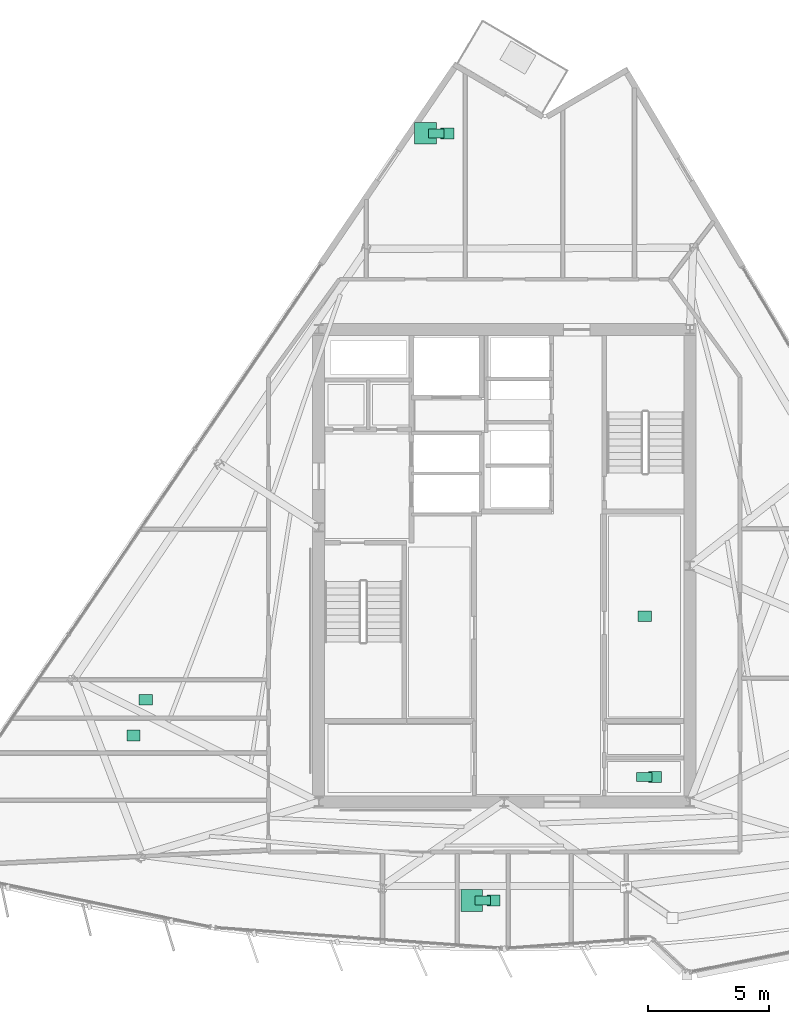
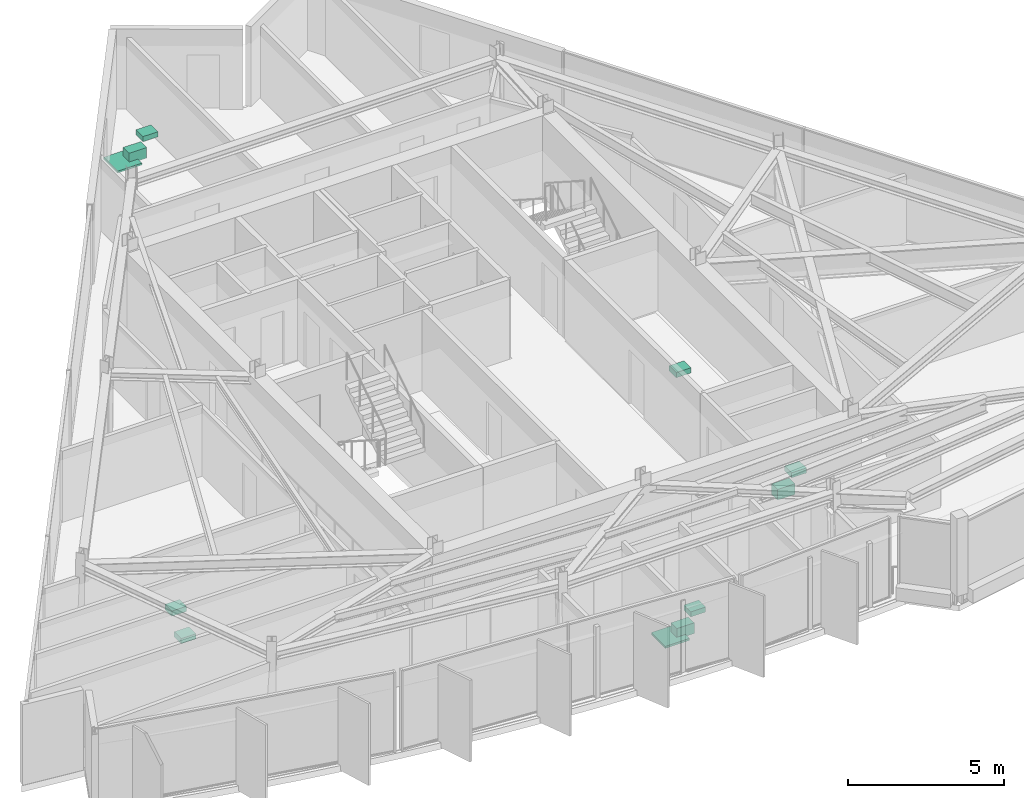
# One storey, part 13 of 13: 11 sanitary terminals.
"""IFC4 building model written with IfcOpenShell, lengths in metres."""

from ifc_helpers import new_model, si_unit, direction, frame, origin, origin_2d, place, context, subcontext, project, spatial, rectangle, extrude, material, type_object, element, save


model = new_model("IFC4")

# Units and contexts
model_context = context("Model", 3, precision=1e-05, world=origin(), true_north=direction((0.0, 1.0)))
body_context = subcontext(model_context, "Body", "Model", "MODEL_VIEW")
ifc_project = project(units=[si_unit("LENGTHUNIT", "METRE"), si_unit("AREAUNIT", "SQUARE_METRE"), si_unit("VOLUMEUNIT", "CUBIC_METRE"), si_unit("PLANEANGLEUNIT", "RADIAN"), si_unit("MASSUNIT", "GRAM", prefix="KILO")], contexts=[model_context])

# Site, building, storey
site_placement = place(None, origin())
site = spatial("IfcSite", under=ifc_project, at=site_placement, CompositionType="ELEMENT")
building_placement = place(site_placement, origin())
building = spatial("IfcBuilding", under=site, at=building_placement, Name="Savorim Split Tower", CompositionType="ELEMENT")
storey_placement = place(building_placement, frame((0.0, 0.0, 290.39990234375)))
storey = spatial("IfcBuildingStorey", under=building, at=storey_placement, Name="L77", CompositionType="ELEMENT", Elevation=290.39990234375)

# Sanitary terminals
ifc_material = material(Name="Vitreous China Sanitaryware")
sanitary_terminal_type_1 = type_object("IfcSanitaryTerminalType", Name="SAN-SHW-900", PredefinedType="SHOWER", material=ifc_material)
for number, where, z_axis, x_axis, name in (
    (1, (-1.344970703125, -13.49365234375, 0.0), (0.0, 0.0, 1.0), (1.0, 0.0, 0.0), "L77 Shared Bathroom Shower"),
    (2, (-3.27099609375, 18.335693359375, 0.0), (0.0, 0.0, 1.0), (1.0, 0.0, 0.0), "L77 Shared Bathroom Shower"),
):
    element("IfcSanitaryTerminal", number, at=place(storey_placement, frame(where, z_axis=z_axis, x_axis=x_axis)), inside=storey, type_object=sanitary_terminal_type_1, Name=name, PredefinedType="SHOWER", context=body_context, shape_type="SweptSolid", body=[
        extrude(rectangle(XDim=0.89990234375, YDim=0.89990234375, at=origin_2d()), origin(), (0.0, 0.0, 1.0), 0.080078125),
    ])
sanitary_terminal_type_2 = type_object("IfcSanitaryTerminalType", Name="SAN-WC-PAN", PredefinedType="TOILETPAN", material=ifc_material)
for number, where, z_axis, x_axis, name in (
    (3, (5.800048828125, -8.3701171875, 0.000244140625), (0.0, 0.0, 1.0), (1.0, 0.0, 0.0), "L77 Accessible WC WC Pan"),
    (4, (-0.89501953125, -13.49365234375, 0.000244140625), (0.0, 0.0, 1.0), (1.0, 0.0, 0.0), "L77 Shared Bathroom WC Pan"),
    (5, (-2.82080078125, 18.335693359375, 0.000244140625), (0.0, 0.0, 1.0), (1.0, 0.0, 0.0), "L77 Shared Bathroom WC Pan"),
):
    element("IfcSanitaryTerminal", number, at=place(storey_placement, frame(where, z_axis=z_axis, x_axis=x_axis)), inside=storey, type_object=sanitary_terminal_type_2, Name=name, PredefinedType="TOILETPAN", context=body_context, shape_type="SweptSolid", body=[
        extrude(rectangle(XDim=0.64990234375, YDim=0.3798828125, at=origin_2d()), origin(), (0.0, 0.0, 1.0), 0.419921875),
    ])
sanitary_terminal_type_3 = type_object("IfcSanitaryTerminalType", Name="SAN-WHB-550", PredefinedType="WASHHANDBASIN", material=ifc_material)
for number, where, z_axis, x_axis, name in (
    (6, (5.824951171875, -1.699951171875, 0.75), (0.0, 0.0, 1.0), (1.0, 0.0, 0.0), "L77 Community Laundry Room Utility Sink"),
    (7, (6.25, -8.3701171875, 0.72021484375), (0.0, 0.0, 1.0), (1.0, 0.0, 0.0), "L77 Accessible WC Washhand Basin"),
    (8, (-14.87646484375, -5.164794921875, 0.75), (0.0, 0.0, 1.0), (1.0, 0.0, 0.0), "L77 Shared Kitchen Utility Sink"),
    (9, (-15.38037109375, -6.646240234375, 0.75), (0.0, 0.0, 1.0), (1.0, 0.0, 0.0), "L77 Community Laundry Room Utility Sink"),
    (10, (-0.44482421875, -13.49365234375, 0.72021484375), (0.0, 0.0, 1.0), (1.0, 0.0, 0.0), "L77 Shared Bathroom Washhand Basin"),
    (11, (-2.370849609375, 18.335693359375, 0.72021484375), (0.0, 0.0, 1.0), (1.0, 0.0, 0.0), "L77 Shared Bathroom Washhand Basin"),
):
    element("IfcSanitaryTerminal", number, at=place(storey_placement, frame(where, z_axis=z_axis, x_axis=x_axis)), inside=storey, type_object=sanitary_terminal_type_3, Name=name, PredefinedType="WASHHANDBASIN", context=body_context, shape_type="SweptSolid", body=[
        extrude(rectangle(XDim=0.550048828125, YDim=0.449951171875, at=origin_2d()), origin(), (0.0, 0.0, 1.0), 0.199951171875),
    ])

save(model, "model.ifc")
